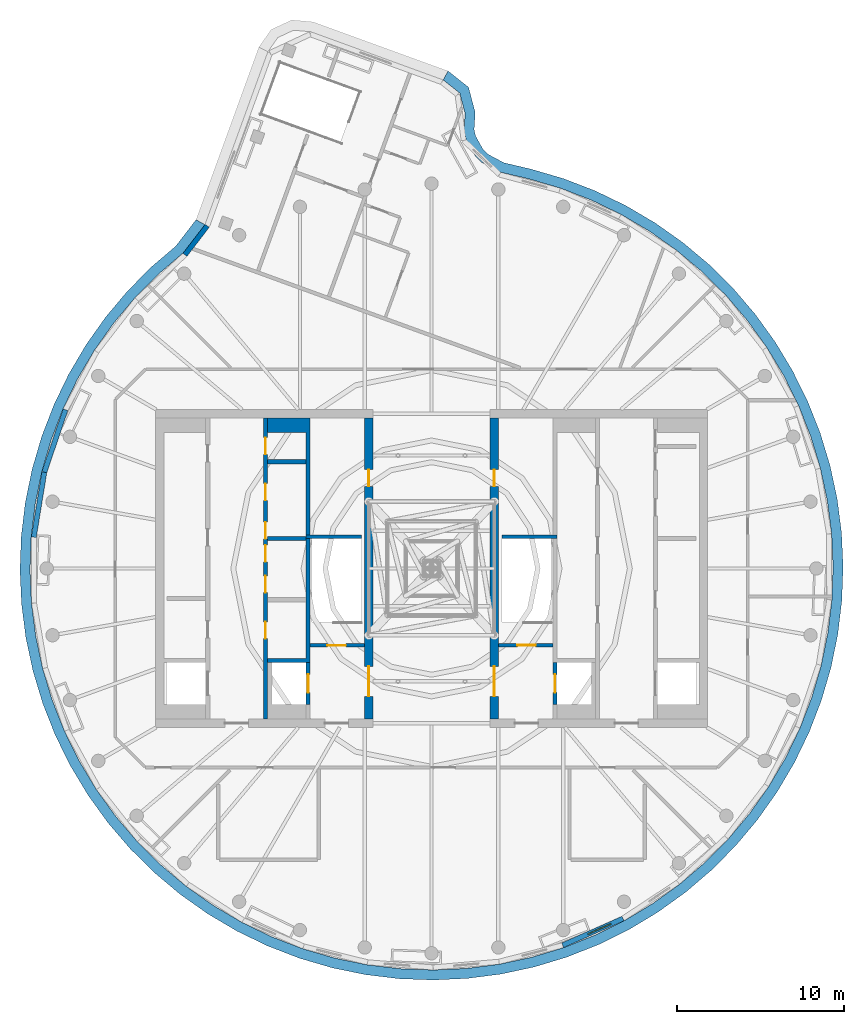
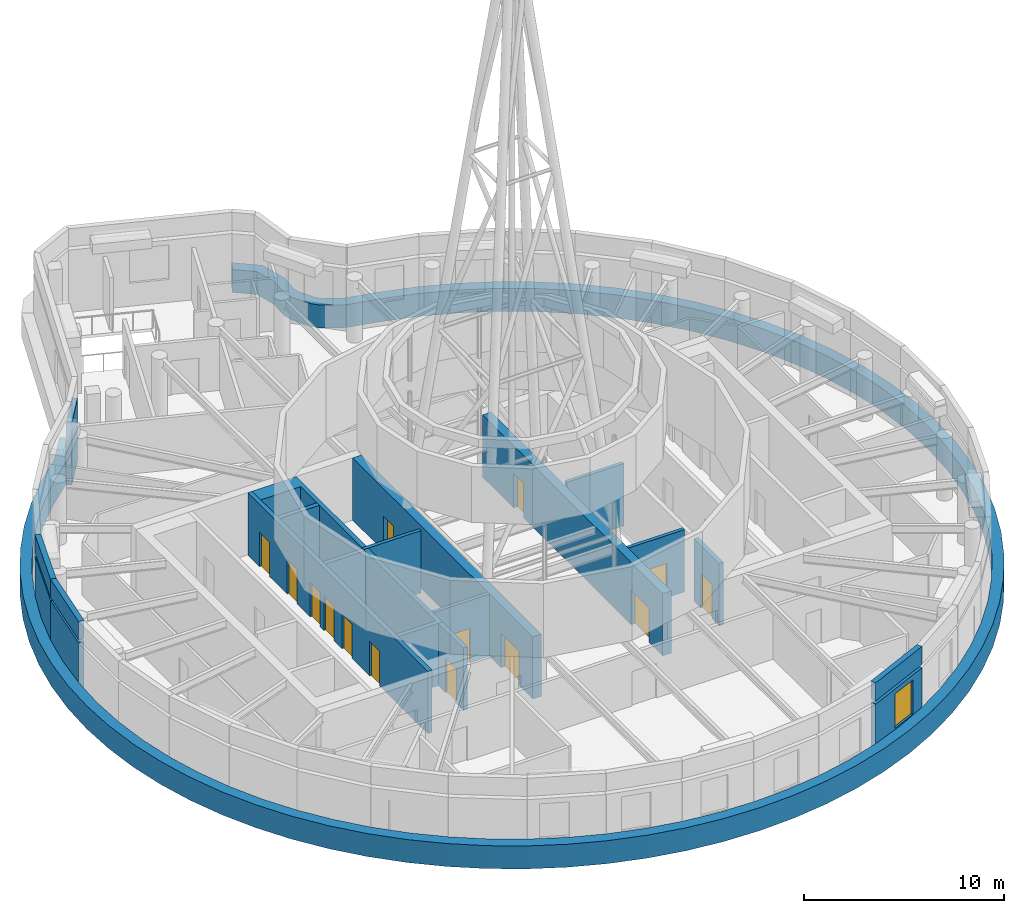
# One storey, part 12 of 17: 19 walls, 14 doors, 1 member, 1 window, 15 openings.
"""IFC4 building model written with IfcOpenShell, lengths in metres."""

from ifc_helpers import new_model, si_unit, direction, frame, frame_2d, origin, place, context, subcontext, project, spatial, polyline, rectangle, outline, extrude, material, layer, layer_set, type_object, element, fill, aggregate, save


model = new_model("IFC4")

# Units and contexts
model_context = context("Model", 3, precision=1e-05, world=origin(), true_north=direction((0.0, 1.0)))
body_context = subcontext(model_context, "Body", "Model", "MODEL_VIEW")
ifc_project = project(units=[si_unit("LENGTHUNIT", "METRE"), si_unit("AREAUNIT", "SQUARE_METRE"), si_unit("VOLUMEUNIT", "CUBIC_METRE"), si_unit("PLANEANGLEUNIT", "RADIAN"), si_unit("MASSUNIT", "GRAM", prefix="KILO")], contexts=[model_context])

# Member
ifc_material_1 = material(Name="Aluminium and insulated spandrel panel", Category="aluminium")
member_type = type_object("IfcMemberType", Name="Floor-edge blade transom", PredefinedType="USERDEFINED", material=ifc_material_1)
site_placement = place(None, origin())
building_placement = place(site_placement, origin())
storey_placement = place(building_placement, frame((0.0, 0.0, 325.39990234375)))
member_placement = place(storey_placement, origin())
member = element("IfcMember", 1, at=member_placement, type_object=member_type, Name="CWT-L80-02", ObjectType="TRANSOM", PredefinedType="USERDEFINED", context=body_context, shape_type="SweptSolid", body=[
    extrude(outline(polyline([(-13.54248046875, 20.54736328125), (-14.847900390625, 18.848876953125), (-16.327880859375, 17.584228515625), (-17.72412109375, 16.17578125), (-18.99951171875, 14.656982421875), (-20.14501953125, 13.0380859375), (-21.15283203125, 11.329833984375), (-22.01611328125, 9.54443359375), (-22.72900390625, 7.69384765625), (-23.286865234375, 5.79052734375), (-23.685546875, 3.84765625), (-23.92236328125, 1.878662109375), (-23.995849609375, -0.103271484375), (-23.9052734375, -2.08447265625), (-23.6513671875, -4.051513671875), (-23.236083984375, -5.99072265625), (-22.662109375, -7.88916015625), (-21.93310546875, -9.733642578125), (-21.054443359375, -11.511474609375), (-20.031982421875, -13.2109375), (-18.87255859375, -14.820068359375), (-17.584228515625, -16.327880859375), (-16.17578125, -17.72412109375), (-14.656982421875, -18.99951171875), (-13.0380859375, -20.14501953125), (-11.329833984375, -21.15283203125), (-9.54443359375, -22.01611328125), (-7.69384765625, -22.72900390625), (-5.79052734375, -23.286865234375), (-3.84765625, -23.685546875), (-1.878662109375, -23.92236328125), (0.103271484375, -23.995849609375), (2.08447265625, -23.9052734375), (4.051513671875, -23.6513671875), (5.99072265625, -23.236083984375), (7.88916015625, -22.662109375), (9.733642578125, -21.93310546875), (11.511474609375, -21.054443359375), (13.2109375, -20.031982421875), (14.820068359375, -18.87255859375), (16.327880859375, -17.584228515625), (17.72412109375, -16.17578125), (18.99951171875, -14.656982421875), (20.14501953125, -13.0380859375), (21.15283203125, -11.329833984375), (22.01611328125, -9.54443359375), (22.72900390625, -7.69384765625), (23.286865234375, -5.79052734375), (23.685546875, -3.84765625), (23.92236328125, -1.878662109375), (23.995849609375, 0.103271484375), (23.9052734375, 2.08447265625), (23.6513671875, 4.051513671875), (23.236083984375, 5.99072265625), (22.662109375, 7.88916015625), (21.93310546875, 9.733642578125), (21.054443359375, 11.511474609375), (20.031982421875, 13.2109375), (18.87255859375, 14.820068359375), (17.584228515625, 16.327880859375), (16.17578125, 17.72412109375), (14.656982421875, 18.99951171875), (13.0380859375, 20.14501953125), (11.329833984375, 21.15283203125), (9.54443359375, 22.01611328125), (7.69384765625, 22.72900390625), (5.79052734375, 23.286865234375), (4.106689453125, 23.68115234375), (2.99658203125, 24.276123046875), (2.603515625, 24.663330078125), (2.0615234375, 25.6376953125), (1.940185546875, 26.176025390625), (2.004638671875, 27.190673828125), (1.6826171875, 28.412353515625), (0.692626953125, 29.197021484375), (0.9892578125, 29.7275390625), (2.2119140625, 28.75830078125), (2.609619140625, 27.249755859375), (2.54443359375, 26.223876953125), (2.6279296875, 25.85400390625), (3.0859375, 25.0302734375), (3.356201171875, 24.76416015625), (4.3203125, 24.247314453125), (5.943359375, 23.8671875), (7.88623046875, 23.2978515625), (9.783203125, 22.567138671875), (11.613525390625, 21.68212890625), (13.3642578125, 20.64892578125), (15.023681640625, 19.474853515625), (16.580810546875, 18.167724609375), (18.0244140625, 16.736572265625), (19.344970703125, 15.19091796875), (20.533203125, 13.54150390625), (21.581298828125, 11.799560546875), (22.482177734375, 9.97705078125), (23.229248046875, 8.08642578125), (23.817626953125, 6.140625), (24.243408203125, 4.15283203125), (24.50341796875, 2.13671875), (24.59619140625, 0.10595703125), (24.52099609375, -1.925537109375), (24.2783203125, -3.944091796875), (23.86962890625, -5.935302734375), (23.2978515625, -7.88623046875), (22.567138671875, -9.783203125), (21.68212890625, -11.613525390625), (20.64892578125, -13.3642578125), (19.474853515625, -15.023681640625), (18.167724609375, -16.580810546875), (16.736572265625, -18.0244140625), (15.19091796875, -19.344970703125), (13.54150390625, -20.533203125), (11.799560546875, -21.581298828125), (9.97705078125, -22.482177734375), (8.08642578125, -23.229248046875), (6.140625, -23.817626953125), (4.15283203125, -24.243408203125), (2.13671875, -24.50341796875), (0.10595703125, -24.59619140625), (-1.925537109375, -24.52099609375), (-3.944091796875, -24.2783203125), (-5.935302734375, -23.86962890625), (-7.88623046875, -23.2978515625), (-9.783203125, -22.567138671875), (-11.613525390625, -21.68212890625), (-13.3642578125, -20.64892578125), (-15.023681640625, -19.474853515625), (-16.580810546875, -18.167724609375), (-18.0244140625, -16.736572265625), (-19.344970703125, -15.19091796875), (-20.533203125, -13.54150390625), (-21.581298828125, -11.799560546875), (-22.482177734375, -9.97705078125), (-23.229248046875, -8.08642578125), (-23.817626953125, -6.140625), (-24.243408203125, -4.15283203125), (-24.50341796875, -2.13671875), (-24.59619140625, -0.10595703125), (-24.52099609375, 1.925537109375), (-24.2783203125, 3.944091796875), (-23.86962890625, 5.935302734375), (-23.2978515625, 7.88623046875), (-22.567138671875, 9.783203125), (-21.68212890625, 11.613525390625), (-20.64892578125, 13.3642578125), (-19.474853515625, 15.023681640625), (-18.167724609375, 16.580810546875), (-16.736572265625, 18.0244140625), (-15.285400390625, 19.264404296875), (-14.07470703125, 20.839599609375), (-13.54248046875, 20.54736328125)])), origin(), (0.0, 0.0, 1.0), 1.400146484375),
])

# Site, building, storey
site = spatial("IfcSite", under=ifc_project, at=site_placement, CompositionType="ELEMENT")
building = spatial("IfcBuilding", under=site, at=building_placement, Name="Tamarind Cross Interchange Tower", CompositionType="ELEMENT")
storey = spatial("IfcBuildingStorey", under=building, at=storey_placement, Name="L80", CompositionType="ELEMENT", Elevation=325.39990234375)

# Wall, openings, doors
ifc_material_2 = material(Name="Concrete C50", Category="concrete")
ifc_layer_1 = layer(ifc_material_2, 0.5)
ifc_layer_set_1 = layer_set([ifc_layer_1], Name="Concrete C50")
wall_type_1 = type_object("IfcWallType", Name="Core wall 500 mm Concrete C50", PredefinedType="SHEAR", material=ifc_layer_set_1)
wall_1_placement = place(storey_placement, frame((-3.75, -9.0, 0.0), z_axis=(0.0, 0.0, 1.0), x_axis=(0.0, 1.0, 0.0)))
wall_1 = element("IfcWall", 2, at=wall_1_placement, inside=storey, type_object=wall_type_1, Name="Core wall CWL-L80-W-IN", PredefinedType="SHEAR", context=body_context, shape_type="SweptSolid", body=[
    extrude(rectangle(XDim=18.0, YDim=0.5, at=frame_2d((9.0, 0.0))), origin(), (0.0, 0.0, 1.0), 3.800048828125),
])
opening_1_placement = place(wall_1_placement, frame((1.35009765625, 0.0, 0.0)))
opening_1 = element("IfcOpeningElement", 3, at=opening_1_placement, cuts=wall_1, Name="Opening DCW4", PredefinedType="OPENING", context=body_context, shape_type="SweptSolid", body=[
    extrude(rectangle(XDim=1.800048828125, YDim=2.10009765625, at=frame_2d((0.89990234375, 1.050048828125))), frame((0.0, 0.260009765625, 0.0), z_axis=(0.0, -1.0, 0.0), x_axis=(1.0, 0.0, 0.0)), (0.0, 0.0, 1.0), 0.52001953125),
])
opening_2_placement = place(wall_1_placement, frame((13.89990234375, 0.0, 0.0)))
opening_2 = element("IfcOpeningElement", 4, at=opening_2_placement, cuts=wall_1, Name="Opening DCW5", PredefinedType="OPENING", context=body_context, shape_type="SweptSolid", body=[
    extrude(rectangle(XDim=1.0, YDim=2.10009765625, at=frame_2d((0.5, 1.050048828125))), frame((0.0, 0.260009765625, 0.0), z_axis=(0.0, -1.0, 0.0), x_axis=(1.0, 0.0, 0.0)), (0.0, 0.0, 1.0), 0.52001953125),
])
ifc_material_3 = material(Name="Steel, fire-resisting", Category="steel")
door_type_1 = type_object("IfcDoorType", Name="Core fire door 1000 x 2100 FD90", OperationType="SINGLE_SWING_LEFT", PredefinedType="DOOR", material=ifc_material_3)
door_1_placement = place(opening_2_placement, origin())
door_1 = element("IfcDoor", 5, at=door_1_placement, inside=storey, type_object=door_type_1, Name="L80 riser room door", OperationType="SINGLE_SWING_LEFT", OverallHeight=2.10009765625, OverallWidth=1.0, PredefinedType="DOOR", context=body_context, shape_type="SweptSolid", body=[
    extrude(rectangle(XDim=1.0, YDim=2.10009765625, at=frame_2d((0.5, 1.050048828125))), frame((0.0, 0.02490234375, 0.0), z_axis=(0.0, -1.0, 0.0), x_axis=(1.0, 0.0, 0.0)), (0.0, 0.0, 1.0), 0.050048828125),
])
fill(opening_2, door_1)
door_type_2 = type_object("IfcDoorType", Name="Core fire door 1800 x 2100 FD90", OperationType="SINGLE_SWING_LEFT", PredefinedType="DOOR", material=ifc_material_3)
door_2_placement = place(opening_1_placement, origin())
door_2 = element("IfcDoor", 6, at=door_2_placement, inside=storey, type_object=door_type_2, Name="L80 firefighting lobby door", OperationType="SINGLE_SWING_LEFT", OverallHeight=2.10009765625, OverallWidth=1.800048828125, PredefinedType="DOOR", context=body_context, shape_type="SweptSolid", body=[
    extrude(rectangle(XDim=1.800048828125, YDim=2.10009765625, at=frame_2d((0.89990234375, 1.050048828125))), frame((0.0, 0.02490234375, 0.0), z_axis=(0.0, -1.0, 0.0), x_axis=(1.0, 0.0, 0.0)), (0.0, 0.0, 1.0), 0.050048828125),
])
fill(opening_1, door_2)

wall_2_placement = place(storey_placement, frame((3.75, -9.0, 0.0), z_axis=(0.0, 0.0, 1.0), x_axis=(0.0, 1.0, 0.0)))
wall_2 = element("IfcWall", 7, at=wall_2_placement, inside=storey, type_object=wall_type_1, Name="Core wall CWL-L80-E-IN", PredefinedType="SHEAR", context=body_context, shape_type="SweptSolid", body=[
    extrude(rectangle(XDim=18.0, YDim=0.5, at=frame_2d((9.0, 0.0))), origin(), (0.0, 0.0, 1.0), 3.800048828125),
])
opening_3_placement = place(wall_2_placement, frame((1.35009765625, 0.0, 0.0)))
opening_3 = element("IfcOpeningElement", 8, at=opening_3_placement, cuts=wall_2, Name="Opening DCE4", PredefinedType="OPENING", context=body_context, shape_type="SweptSolid", body=[
    extrude(rectangle(XDim=1.800048828125, YDim=2.10009765625, at=frame_2d((0.89990234375, 1.050048828125))), frame((0.0, 0.260009765625, 0.0), z_axis=(0.0, -1.0, 0.0), x_axis=(1.0, 0.0, 0.0)), (0.0, 0.0, 1.0), 0.52001953125),
])
opening_4_placement = place(wall_2_placement, frame((13.89990234375, 0.0, 0.0)))
opening_4 = element("IfcOpeningElement", 9, at=opening_4_placement, cuts=wall_2, Name="Opening DCE5", PredefinedType="OPENING", context=body_context, shape_type="SweptSolid", body=[
    extrude(rectangle(XDim=1.0, YDim=2.10009765625, at=frame_2d((0.5, 1.050048828125))), frame((0.0, 0.260009765625, 0.0), z_axis=(0.0, -1.0, 0.0), x_axis=(1.0, 0.0, 0.0)), (0.0, 0.0, 1.0), 0.52001953125),
])
door_3_placement = place(opening_4_placement, origin())
door_3 = element("IfcDoor", 10, at=door_3_placement, inside=storey, type_object=door_type_1, Name="L80 riser room door", OperationType="SINGLE_SWING_LEFT", OverallHeight=2.10009765625, OverallWidth=1.0, PredefinedType="DOOR", context=body_context, shape_type="SweptSolid", body=[
    extrude(rectangle(XDim=1.0, YDim=2.10009765625, at=frame_2d((0.5, 1.050048828125))), frame((0.0, 0.02490234375, 0.0), z_axis=(0.0, -1.0, 0.0), x_axis=(1.0, 0.0, 0.0)), (0.0, 0.0, 1.0), 0.050048828125),
])
fill(opening_4, door_3)
door_4_placement = place(opening_3_placement, origin())
door_4 = element("IfcDoor", 11, at=door_4_placement, inside=storey, type_object=door_type_2, Name="L80 firefighting lobby door", OperationType="SINGLE_SWING_LEFT", OverallHeight=2.10009765625, OverallWidth=1.800048828125, PredefinedType="DOOR", context=body_context, shape_type="SweptSolid", body=[
    extrude(rectangle(XDim=1.800048828125, YDim=2.10009765625, at=frame_2d((0.89990234375, 1.050048828125))), frame((0.0, 0.02490234375, 0.0), z_axis=(0.0, -1.0, 0.0), x_axis=(1.0, 0.0, 0.0)), (0.0, 0.0, 1.0), 0.050048828125),
])
fill(opening_3, door_4)

# Walls
ifc_layer_2 = layer(ifc_material_2, 0.199951171875)
ifc_layer_set_2 = layer_set([ifc_layer_2], Name="Concrete C50")
wall_type_2 = type_object("IfcWallType", Name="Core web wall 200 mm Concrete C50", PredefinedType="SHEAR", material=ifc_layer_set_2)
for number, where, z_axis, x_axis, name in (
    (12, (-7.5, 1.89990234375, 0.0), (0.0, 0.0, 1.0), (1.0, 0.0, 0.0), "Core wall CWL-L80-W-BD"),
    (13, (7.5, 1.89990234375, 0.0), (0.0, 0.0, 1.0), (-1.0, 0.0, 0.0), "Core wall CWL-L80-E-BD"),
):
    element("IfcWall", number, at=place(storey_placement, frame(where, z_axis=z_axis, x_axis=x_axis)), inside=storey, type_object=wall_type_2, Name=name, PredefinedType="SHEAR", context=body_context, shape_type="SweptSolid", body=[
        extrude(rectangle(XDim=3.300048828125, YDim=0.199951171875, at=frame_2d((1.64990234375, 0.0))), origin(), (0.0, 0.0, 1.0), 3.800048828125),
    ])
ifc_layer_3 = layer(ifc_material_2, 0.25)
ifc_layer_set_3 = layer_set([ifc_layer_3], Name="Concrete C50")
wall_type_3 = type_object("IfcWallType", Name="Core web wall 250 mm Concrete C50", PredefinedType="SHEAR", material=ifc_layer_set_3)
wall_3_placement = place(storey_placement, origin())
element("IfcWall", 14, at=wall_3_placement, inside=storey, type_object=wall_type_3, Name="Core wall CWL-L80-W-BN", PredefinedType="SHEAR", context=body_context, shape_type="SweptSolid", body=[
    extrude(outline(polyline([(-9.800048828125, -5.625), (-7.5, -5.625), (-7.25, -5.625), (-7.25, 9.0), (-7.5, 9.0), (-9.800048828125, 9.0), (-9.800048828125, 8.125), (-7.5, 8.125), (-7.5, -5.375), (-9.800048828125, -5.375), (-9.800048828125, -5.625)])), origin(), (0.0, 0.0, 1.0), 3.800048828125),
])

# Wall, openings, doors
wall_4_placement = place(storey_placement, frame((-9.925048828125, -9.0, 0.0), z_axis=(0.0, 0.0, 1.0), x_axis=(0.0, 1.0, 0.0)))
wall_4 = element("IfcWall", 15, at=wall_4_placement, inside=storey, type_object=wall_type_3, Name="Core wall CWL-L80-W-LB", PredefinedType="SHEAR", context=body_context, shape_type="SweptSolid", body=[
    extrude(rectangle(XDim=18.0, YDim=0.25, at=frame_2d((9.0, 0.0))), origin(), (0.0, 0.0, 1.0), 3.800048828125),
])
opening_5_placement = place(wall_4_placement, frame((4.8125, 0.0, 0.0)))
opening_5 = element("IfcOpeningElement", 16, at=opening_5_placement, cuts=wall_4, Name="Opening DCW21", PredefinedType="OPENING", context=body_context, shape_type="SweptSolid", body=[
    extrude(rectangle(XDim=1.0, YDim=2.10009765625, at=frame_2d((0.5, 1.050048828125))), frame((0.0, 0.135009765625, 0.0), z_axis=(0.0, -1.0, 0.0), x_axis=(1.0, 0.0, 0.0)), (0.0, 0.0, 1.0), 0.27001953125),
])
opening_6_placement = place(wall_4_placement, frame((7.5625, 0.0, 0.0)))
opening_6 = element("IfcOpeningElement", 17, at=opening_6_placement, cuts=wall_4, Name="Opening DCW22", PredefinedType="OPENING", context=body_context, shape_type="SweptSolid", body=[
    extrude(rectangle(XDim=1.0, YDim=2.10009765625, at=frame_2d((0.5, 1.050048828125))), frame((0.0, 0.135009765625, 0.0), z_axis=(0.0, -1.0, 0.0), x_axis=(1.0, 0.0, 0.0)), (0.0, 0.0, 1.0), 0.27001953125),
])
opening_7_placement = place(wall_4_placement, frame((9.39599609375, 0.0, 0.0)))
opening_7 = element("IfcOpeningElement", 18, at=opening_7_placement, cuts=wall_4, Name="Opening DCW21", PredefinedType="OPENING", context=body_context, shape_type="SweptSolid", body=[
    extrude(rectangle(XDim=1.0, YDim=2.10009765625, at=frame_2d((0.5, 1.050048828125))), frame((0.0, 0.135009765625, 0.0), z_axis=(0.0, -1.0, 0.0), x_axis=(1.0, 0.0, 0.0)), (0.0, 0.0, 1.0), 0.27001953125),
])
opening_8_placement = place(wall_4_placement, frame((10.77099609375, 0.0, 0.0)))
opening_8 = element("IfcOpeningElement", 19, at=opening_8_placement, cuts=wall_4, Name="Opening DCW22", PredefinedType="OPENING", context=body_context, shape_type="SweptSolid", body=[
    extrude(rectangle(XDim=1.0, YDim=2.10009765625, at=frame_2d((0.5, 1.050048828125))), frame((0.0, 0.135009765625, 0.0), z_axis=(0.0, -1.0, 0.0), x_axis=(1.0, 0.0, 0.0)), (0.0, 0.0, 1.0), 0.27001953125),
])
opening_9_placement = place(wall_4_placement, frame((13.0625, 0.0, 0.0)))
opening_9 = element("IfcOpeningElement", 20, at=opening_9_placement, cuts=wall_4, Name="Opening DCW21", PredefinedType="OPENING", context=body_context, shape_type="SweptSolid", body=[
    extrude(rectangle(XDim=1.0, YDim=2.10009765625, at=frame_2d((0.5, 1.050048828125))), frame((0.0, 0.135009765625, 0.0), z_axis=(0.0, -1.0, 0.0), x_axis=(1.0, 0.0, 0.0)), (0.0, 0.0, 1.0), 0.27001953125),
])
opening_10_placement = place(wall_4_placement, frame((15.8125, 0.0, 0.0)))
opening_10 = element("IfcOpeningElement", 21, at=opening_10_placement, cuts=wall_4, Name="Opening DCW22", PredefinedType="OPENING", context=body_context, shape_type="SweptSolid", body=[
    extrude(rectangle(XDim=1.0, YDim=2.10009765625, at=frame_2d((0.5, 1.050048828125))), frame((0.0, 0.135009765625, 0.0), z_axis=(0.0, -1.0, 0.0), x_axis=(1.0, 0.0, 0.0)), (0.0, 0.0, 1.0), 0.27001953125),
])
door_5_placement = place(opening_5_placement, origin())
door_5 = element("IfcDoor", 22, at=door_5_placement, inside=storey, type_object=door_type_1, Name="L80 Plant room door", OperationType="SINGLE_SWING_LEFT", OverallHeight=2.10009765625, OverallWidth=1.0, PredefinedType="DOOR", context=body_context, shape_type="SweptSolid", body=[
    extrude(rectangle(XDim=1.0, YDim=2.10009765625, at=frame_2d((0.5, 1.050048828125))), frame((0.0, 0.02490234375, 0.0), z_axis=(0.0, -1.0, 0.0), x_axis=(1.0, 0.0, 0.0)), (0.0, 0.0, 1.0), 0.050048828125),
])
fill(opening_5, door_5)
door_6_placement = place(opening_6_placement, origin())
door_6 = element("IfcDoor", 23, at=door_6_placement, inside=storey, type_object=door_type_1, Name="L80 Storage room door", OperationType="SINGLE_SWING_LEFT", OverallHeight=2.10009765625, OverallWidth=1.0, PredefinedType="DOOR", context=body_context, shape_type="SweptSolid", body=[
    extrude(rectangle(XDim=1.0, YDim=2.10009765625, at=frame_2d((0.5, 1.050048828125))), frame((0.0, 0.02490234375, 0.0), z_axis=(0.0, -1.0, 0.0), x_axis=(1.0, 0.0, 0.0)), (0.0, 0.0, 1.0), 0.050048828125),
])
fill(opening_6, door_6)
door_7_placement = place(opening_7_placement, origin())
door_7 = element("IfcDoor", 24, at=door_7_placement, inside=storey, type_object=door_type_1, Name="L80 Storage room door", OperationType="SINGLE_SWING_LEFT", OverallHeight=2.10009765625, OverallWidth=1.0, PredefinedType="DOOR", context=body_context, shape_type="SweptSolid", body=[
    extrude(rectangle(XDim=1.0, YDim=2.10009765625, at=frame_2d((0.5, 1.050048828125))), frame((0.0, 0.02490234375, 0.0), z_axis=(0.0, -1.0, 0.0), x_axis=(1.0, 0.0, 0.0)), (0.0, 0.0, 1.0), 0.050048828125),
])
fill(opening_7, door_7)
door_8_placement = place(opening_8_placement, origin())
door_8 = element("IfcDoor", 25, at=door_8_placement, inside=storey, type_object=door_type_1, Name="L80 Battery room door", OperationType="SINGLE_SWING_LEFT", OverallHeight=2.10009765625, OverallWidth=1.0, PredefinedType="DOOR", context=body_context, shape_type="SweptSolid", body=[
    extrude(rectangle(XDim=1.0, YDim=2.10009765625, at=frame_2d((0.5, 1.050048828125))), frame((0.0, 0.02490234375, 0.0), z_axis=(0.0, -1.0, 0.0), x_axis=(1.0, 0.0, 0.0)), (0.0, 0.0, 1.0), 0.050048828125),
])
fill(opening_8, door_8)
door_9_placement = place(opening_9_placement, origin())
door_9 = element("IfcDoor", 26, at=door_9_placement, inside=storey, type_object=door_type_1, Name="L80 Battery room door", OperationType="SINGLE_SWING_LEFT", OverallHeight=2.10009765625, OverallWidth=1.0, PredefinedType="DOOR", context=body_context, shape_type="SweptSolid", body=[
    extrude(rectangle(XDim=1.0, YDim=2.10009765625, at=frame_2d((0.5, 1.050048828125))), frame((0.0, 0.02490234375, 0.0), z_axis=(0.0, -1.0, 0.0), x_axis=(1.0, 0.0, 0.0)), (0.0, 0.0, 1.0), 0.050048828125),
])
fill(opening_9, door_9)
door_10_placement = place(opening_10_placement, origin())
door_10 = element("IfcDoor", 27, at=door_10_placement, inside=storey, type_object=door_type_1, Name="L80 Switch room door", OperationType="SINGLE_SWING_LEFT", OverallHeight=2.10009765625, OverallWidth=1.0, PredefinedType="DOOR", context=body_context, shape_type="SweptSolid", body=[
    extrude(rectangle(XDim=1.0, YDim=2.10009765625, at=frame_2d((0.5, 1.050048828125))), frame((0.0, 0.02490234375, 0.0), z_axis=(0.0, -1.0, 0.0), x_axis=(1.0, 0.0, 0.0)), (0.0, 0.0, 1.0), 0.050048828125),
])
fill(opening_10, door_10)

# Wall, opening, door
wall_5_placement = place(storey_placement, frame((-7.375, -8.125, 0.0), z_axis=(0.0, 0.0, 1.0), x_axis=(0.0, 1.0, 0.0)))
wall_5 = element("IfcWall", 28, at=wall_5_placement, inside=storey, type_object=wall_type_3, Name="Core wall CWL-L80-W-FF", PredefinedType="SHEAR", context=body_context, shape_type="SweptSolid", body=[
    extrude(rectangle(XDim=2.5, YDim=0.25, at=frame_2d((1.25, 0.0))), origin(), (0.0, 0.0, 1.0), 3.800048828125),
])
opening_11_placement = place(wall_5_placement, frame((0.699951171875, 0.0, 0.0)))
opening_11 = element("IfcOpeningElement", 29, at=opening_11_placement, cuts=wall_5, Name="Opening LD7L80", PredefinedType="OPENING", context=body_context, shape_type="SweptSolid", body=[
    extrude(rectangle(XDim=1.10009765625, YDim=2.10009765625, at=frame_2d((0.550048828125, 1.050048828125))), frame((0.0, 0.135009765625, 0.0), z_axis=(0.0, -1.0, 0.0), x_axis=(1.0, 0.0, 0.0)), (0.0, 0.0, 1.0), 0.27001953125),
])
ifc_material_4 = material(Name="Stainless steel panel", Category="steel")
door_type_3 = type_object("IfcDoorType", Name="Lift landing door 1100 x 2100 E 120", OperationType="SLIDING_TO_LEFT", PredefinedType="DOOR", material=ifc_material_4)
door_11_placement = place(opening_11_placement, origin())
door_11 = element("IfcDoor", 30, at=door_11_placement, inside=storey, type_object=door_type_3, Name="L80 landing door LF7", OperationType="SLIDING_TO_LEFT", OverallHeight=2.10009765625, OverallWidth=1.10009765625, PredefinedType="DOOR", context=body_context, shape_type="SweptSolid", body=[
    extrude(rectangle(XDim=1.10009765625, YDim=2.10009765625, at=frame_2d((0.550048828125, 1.050048828125))), frame((0.0, 0.02490234375, 0.0), z_axis=(0.0, -1.0, 0.0), x_axis=(1.0, 0.0, 0.0)), (0.0, 0.0, 1.0), 0.050048828125),
])
fill(opening_11, door_11)

wall_6_placement = place(storey_placement, frame((7.375, -8.125, 0.0), z_axis=(0.0, 0.0, 1.0), x_axis=(0.0, 1.0, 0.0)))
wall_6 = element("IfcWall", 31, at=wall_6_placement, inside=storey, type_object=wall_type_3, Name="Core wall CWL-L80-E-FF", PredefinedType="SHEAR", context=body_context, shape_type="SweptSolid", body=[
    extrude(rectangle(XDim=2.5, YDim=0.25, at=frame_2d((1.25, 0.0))), origin(), (0.0, 0.0, 1.0), 3.800048828125),
])
opening_12_placement = place(wall_6_placement, frame((0.699951171875, 0.0, 0.0)))
opening_12 = element("IfcOpeningElement", 32, at=opening_12_placement, cuts=wall_6, Name="Opening LD19L80", PredefinedType="OPENING", context=body_context, shape_type="SweptSolid", body=[
    extrude(rectangle(XDim=1.10009765625, YDim=2.10009765625, at=frame_2d((0.550048828125, 1.050048828125))), frame((0.0, 0.135009765625, 0.0), z_axis=(0.0, -1.0, 0.0), x_axis=(1.0, 0.0, 0.0)), (0.0, 0.0, 1.0), 0.27001953125),
])
door_12_placement = place(opening_12_placement, origin())
door_12 = element("IfcDoor", 33, at=door_12_placement, inside=storey, type_object=door_type_3, Name="L80 landing door LF19", OperationType="SLIDING_TO_LEFT", OverallHeight=2.10009765625, OverallWidth=1.10009765625, PredefinedType="DOOR", context=body_context, shape_type="SweptSolid", body=[
    extrude(rectangle(XDim=1.10009765625, YDim=2.10009765625, at=frame_2d((0.550048828125, 1.050048828125))), frame((0.0, 0.02490234375, 0.0), z_axis=(0.0, -1.0, 0.0), x_axis=(1.0, 0.0, 0.0)), (0.0, 0.0, 1.0), 0.050048828125),
])
fill(opening_12, door_12)

# Walls
ifc_material_5 = material(Name="Concrete C40", Category="concrete")
ifc_layer_4 = layer(ifc_material_5, 0.300048828125)
ifc_layer_set_4 = layer_set([ifc_layer_4], Name="Concrete C40")
wall_type_4 = type_object("IfcWallType", Name="Parapet upstand", PredefinedType="PARAPET", material=ifc_layer_set_4)
wall_7_placement = place(storey_placement, frame((-21.87841796875, 9.484619140625, 4.0), z_axis=(0.0, 0.0, 1.0), x_axis=(-0.320613287718, -0.947210177172, 0.0)))
element("IfcWall", 34, at=wall_7_placement, inside=storey, type_object=wall_type_4, Name="EXW-L80-P02-04", PredefinedType="PARAPET", context=body_context, shape_type="SweptSolid", body=[
    extrude(rectangle(XDim=3.9384765625, YDim=0.300048828125, at=frame_2d((1.96923828125, 0.0))), origin(), (0.0, 0.0, 1.0), 1.10009765625),
])
wall_8_placement = place(storey_placement, frame((-23.14111328125, 5.754150390625, 4.0), z_axis=(0.0, 0.0, 1.0), x_axis=(-0.160376439891, -0.987055924215, 0.0)))
element("IfcWall", 35, at=wall_8_placement, inside=storey, type_object=wall_type_4, Name="EXW-L80-P02-05", PredefinedType="PARAPET", context=body_context, shape_type="SweptSolid", body=[
    extrude(rectangle(XDim=3.938232421875, YDim=0.300048828125, at=frame_2d((1.96923828125, 0.0))), origin(), (0.0, 0.0, 1.0), 1.10009765625),
])
wall_9_placement = place(storey_placement, frame((7.839599609375, -22.520263671875, 4.0), z_axis=(0.0, 0.0, 1.0), x_axis=(0.91404912862, 0.405603489221, 0.0)))
element("IfcWall", 36, at=wall_9_placement, inside=storey, type_object=wall_type_4, Name="EXW-L80-P02-18", PredefinedType="PARAPET", context=body_context, shape_type="SweptSolid", body=[
    extrude(rectangle(XDim=3.9384765625, YDim=0.300048828125, at=frame_2d((1.96923828125, 0.0))), origin(), (0.0, 0.0, 1.0), 1.10009765625),
])

# Wall
ifc_material_6 = material(Name="Precast concrete C40", Category="concrete")
ifc_layer_5 = layer(ifc_material_6, 0.300048828125)
ifc_layer_set_5 = layer_set([ifc_layer_5], Name="Precast concrete C40")
wall_type_5 = type_object("IfcWallType", Name="Plant louvre wall", PredefinedType="SOLIDWALL", material=ifc_layer_set_5)
wall_10_placement = place(storey_placement, frame((-13.409423828125, 20.474365234375, 0.0), z_axis=(0.0, 0.0, 1.0), x_axis=(-0.609396950442, -0.792865282877, 0.0)))
wall_10 = element("IfcWall", 37, at=wall_10_placement, inside=storey, type_object=wall_type_5, Name="EXW-L80-02-00", PredefinedType="SOLIDWALL", context=body_context, shape_type="SweptSolid", body=[
    extrude(rectangle(XDim=2.180908203125, YDim=0.300048828125, at=frame_2d((1.09033203125, 0.0))), origin(), (0.0, 0.0, 1.0), 3.800048828125),
])

aggregate(wall_10, [member])

# Walls
wall_11_placement = place(storey_placement, frame((-21.87841796875, 9.484619140625, 0.0), z_axis=(0.0, 0.0, 1.0), x_axis=(-0.320613287718, -0.947210177172, 0.0)))
element("IfcWall", 38, at=wall_11_placement, inside=storey, type_object=wall_type_5, Name="EXW-L80-02-04", PredefinedType="SOLIDWALL", context=body_context, shape_type="SweptSolid", body=[
    extrude(rectangle(XDim=3.9384765625, YDim=0.300048828125, at=frame_2d((1.96923828125, 0.0))), origin(), (0.0, 0.0, 1.0), 3.800048828125),
])
wall_12_placement = place(storey_placement, frame((-23.14111328125, 5.754150390625, 0.0), z_axis=(0.0, 0.0, 1.0), x_axis=(-0.160376439891, -0.987055924215, 0.0)))
element("IfcWall", 39, at=wall_12_placement, inside=storey, type_object=wall_type_5, Name="EXW-L80-02-05", PredefinedType="SOLIDWALL", context=body_context, shape_type="SweptSolid", body=[
    extrude(rectangle(XDim=3.938232421875, YDim=0.300048828125, at=frame_2d((1.96923828125, 0.0))), origin(), (0.0, 0.0, 1.0), 3.800048828125),
])

# Wall, opening, window
wall_13_placement = place(storey_placement, frame((7.839599609375, -22.520263671875, 0.0), z_axis=(0.0, 0.0, 1.0), x_axis=(0.91404912862, 0.405603489221, 0.0)))
wall_13 = element("IfcWall", 40, at=wall_13_placement, inside=storey, type_object=wall_type_5, Name="EXW-L80-02-18", PredefinedType="SOLIDWALL", context=body_context, shape_type="SweptSolid", body=[
    extrude(rectangle(XDim=3.9384765625, YDim=0.300048828125, at=frame_2d((1.96923828125, 0.0))), origin(), (0.0, 0.0, 1.0), 3.800048828125),
])
opening_13_placement = place(wall_13_placement, frame((1.642578125, 0.0, 1.39990234375)))
opening_13 = element("IfcOpeningElement", 41, at=opening_13_placement, cuts=wall_13, Name="Opening W2", PredefinedType="OPENING", context=body_context, shape_type="SweptSolid", body=[
    extrude(rectangle(XDim=1.508544921875, YDim=2.10009765625, at=frame_2d((0.75439453125, 1.050048828125))), frame((0.0, 0.159912109375, 0.0), z_axis=(0.0, -1.0, 0.0), x_axis=(1.0, 0.0, 0.0)), (0.0, 0.0, 1.0), 0.320068359375),
])
ifc_material_7 = material(Name="Aluminium louvre", Category="aluminium")
window_type = type_object("IfcWindowType", Name="Plant louvre bank", PartitioningType="SINGLE_PANEL", PredefinedType="WINDOW", material=ifc_material_7)
window_placement = place(opening_13_placement, origin())
window = element("IfcWindow", 42, at=window_placement, inside=storey, type_object=window_type, Name="WIN-L80-02-18", OverallHeight=2.10009765625, OverallWidth=1.508544921875, PartitioningType="SINGLE_PANEL", PredefinedType="WINDOW", context=body_context, shape_type="SweptSolid", body=[
    extrude(rectangle(XDim=1.508544921875, YDim=2.10009765625, at=frame_2d((0.75439453125, 1.050048828125))), frame((0.0, 0.030029296875, 0.0), z_axis=(0.0, -1.0, 0.0), x_axis=(1.0, 0.0, 0.0)), (0.0, 0.0, 1.0), 0.06005859375),
])
fill(opening_13, window)

# Walls
ifc_layer_6 = layer(ifc_material_5, 0.25)
ifc_layer_set_6 = layer_set([ifc_layer_6], Name="Concrete C40")
wall_type_6 = type_object("IfcWallType", Name="Shaft and lobby wall 250 mm Concrete C40", PredefinedType="PARTITIONING", material=ifc_layer_set_6)
for number, where, z_axis, x_axis, name in (
    (43, (-9.800048828125, 1.7919921875, 0.0), (0.0, 0.0, 1.0), (1.0, 0.0, 0.0), "Shaft wall CWL-L80-W-FPB3"),
    (44, (-9.800048828125, 6.375, 0.0), (0.0, 0.0, 1.0), (1.0, 0.0, 0.0), "Shaft wall CWL-L80-W-FPB4"),
):
    element("IfcWall", number, at=place(storey_placement, frame(where, z_axis=z_axis, x_axis=x_axis)), inside=storey, type_object=wall_type_6, Name=name, PredefinedType="PARTITIONING", context=body_context, shape_type="SweptSolid", body=[
        extrude(rectangle(XDim=2.300048828125, YDim=0.25, at=frame_2d((1.14990234375, 0.0))), origin(), (0.0, 0.0, 1.0), 3.800048828125),
    ])

# Wall, opening, door
ifc_layer_7 = layer(ifc_material_5, 0.199951171875)
ifc_layer_set_7 = layer_set([ifc_layer_7], Name="Concrete C40")
wall_type_7 = type_object("IfcWallType", Name="Stair shaft wall 200 mm Concrete C40", PredefinedType="SHEAR", material=ifc_layer_set_7)
wall_14_placement = place(storey_placement, frame((-7.25, -4.60009765625, 0.0), z_axis=(0.0, 0.0, 1.0), x_axis=(1.0, 0.0, 0.0)))
wall_14 = element("IfcWall", 45, at=wall_14_placement, inside=storey, type_object=wall_type_7, Name="Core wall CWL-L80-W-SD", PredefinedType="SHEAR", context=body_context, shape_type="SweptSolid", body=[
    extrude(rectangle(XDim=3.25, YDim=0.199951171875, at=frame_2d((1.625, 0.0))), origin(), (0.0, 0.0, 1.0), 3.800048828125),
])
opening_14_placement = place(wall_14_placement, frame((1.02490234375, 0.0, 0.0)))
opening_14 = element("IfcOpeningElement", 46, at=opening_14_placement, cuts=wall_14, Name="Opening DCW6", PredefinedType="OPENING", context=body_context, shape_type="SweptSolid", body=[
    extrude(rectangle(XDim=1.10009765625, YDim=2.10009765625, at=frame_2d((0.550048828125, 1.050048828125))), frame((0.0, 0.10986328125, 0.0), z_axis=(0.0, -1.0, 0.0), x_axis=(1.0, 0.0, 0.0)), (0.0, 0.0, 1.0), 0.219970703125),
])
door_type_4 = type_object("IfcDoorType", Name="Core fire door 1100 x 2100 FD90", OperationType="SINGLE_SWING_LEFT", PredefinedType="DOOR", material=ifc_material_3)
door_13_placement = place(opening_14_placement, origin())
door_13 = element("IfcDoor", 47, at=door_13_placement, inside=storey, type_object=door_type_4, Name="L80 stair door", OperationType="SINGLE_SWING_LEFT", OverallHeight=2.10009765625, OverallWidth=1.10009765625, PredefinedType="DOOR", context=body_context, shape_type="SweptSolid", body=[
    extrude(rectangle(XDim=1.10009765625, YDim=2.10009765625, at=frame_2d((0.550048828125, 1.050048828125))), frame((0.0, 0.02490234375, 0.0), z_axis=(0.0, -1.0, 0.0), x_axis=(1.0, 0.0, 0.0)), (0.0, 0.0, 1.0), 0.050048828125),
])
fill(opening_14, door_13)

wall_15_placement = place(storey_placement, frame((7.25, -4.60009765625, 0.0), z_axis=(0.0, 0.0, 1.0), x_axis=(-1.0, 0.0, 0.0)))
wall_15 = element("IfcWall", 48, at=wall_15_placement, inside=storey, type_object=wall_type_7, Name="Core wall CWL-L80-E-SD", PredefinedType="SHEAR", context=body_context, shape_type="SweptSolid", body=[
    extrude(rectangle(XDim=3.25, YDim=0.199951171875, at=frame_2d((1.625, 0.0))), origin(), (0.0, 0.0, 1.0), 3.800048828125),
])
opening_15_placement = place(wall_15_placement, frame((1.02490234375, 0.0, 0.0)))
opening_15 = element("IfcOpeningElement", 49, at=opening_15_placement, cuts=wall_15, Name="Opening DCE6", PredefinedType="OPENING", context=body_context, shape_type="SweptSolid", body=[
    extrude(rectangle(XDim=1.10009765625, YDim=2.10009765625, at=frame_2d((0.550048828125, 1.050048828125))), frame((0.0, 0.10986328125, 0.0), z_axis=(0.0, -1.0, 0.0), x_axis=(1.0, 0.0, 0.0)), (0.0, 0.0, 1.0), 0.219970703125),
])
door_14_placement = place(opening_15_placement, origin())
door_14 = element("IfcDoor", 50, at=door_14_placement, inside=storey, type_object=door_type_4, Name="L80 stair door", OperationType="SINGLE_SWING_LEFT", OverallHeight=2.10009765625, OverallWidth=1.10009765625, PredefinedType="DOOR", context=body_context, shape_type="SweptSolid", body=[
    extrude(rectangle(XDim=1.10009765625, YDim=2.10009765625, at=frame_2d((0.550048828125, 1.050048828125))), frame((0.0, 0.02490234375, 0.0), z_axis=(0.0, -1.0, 0.0), x_axis=(1.0, 0.0, 0.0)), (0.0, 0.0, 1.0), 0.050048828125),
])
fill(opening_15, door_14)

save(model, "model.ifc")
